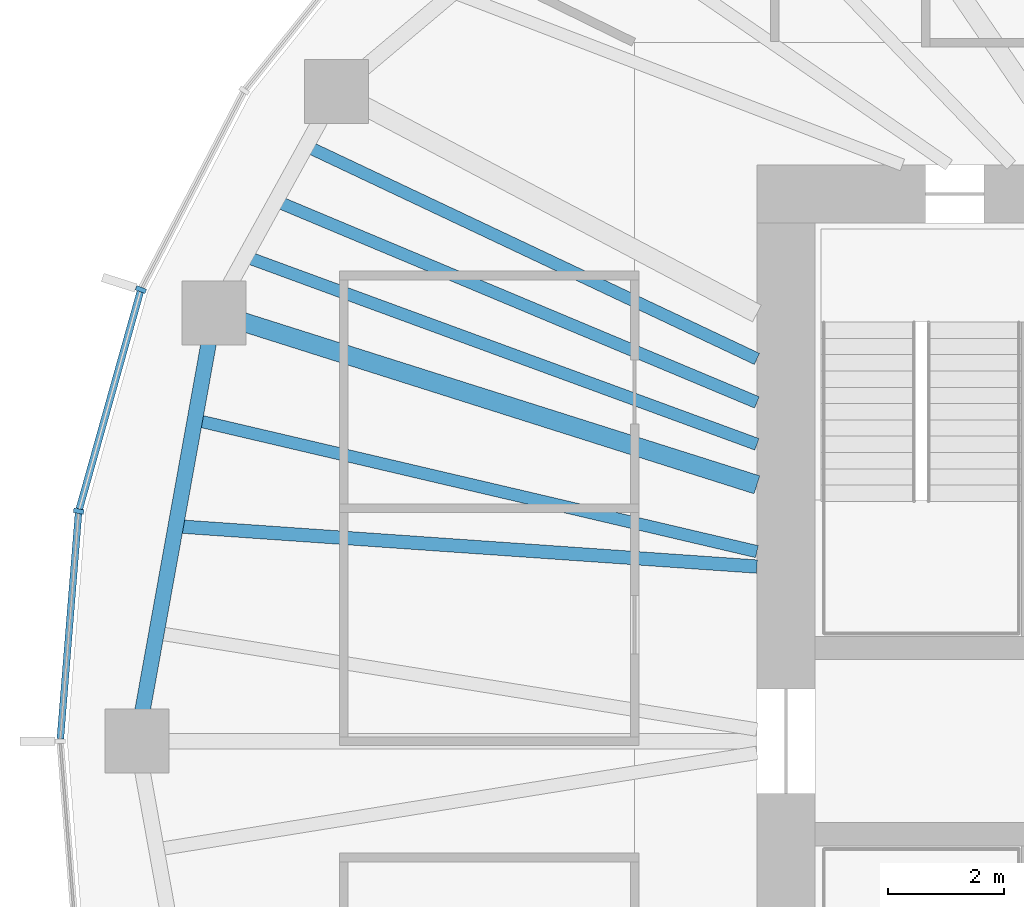
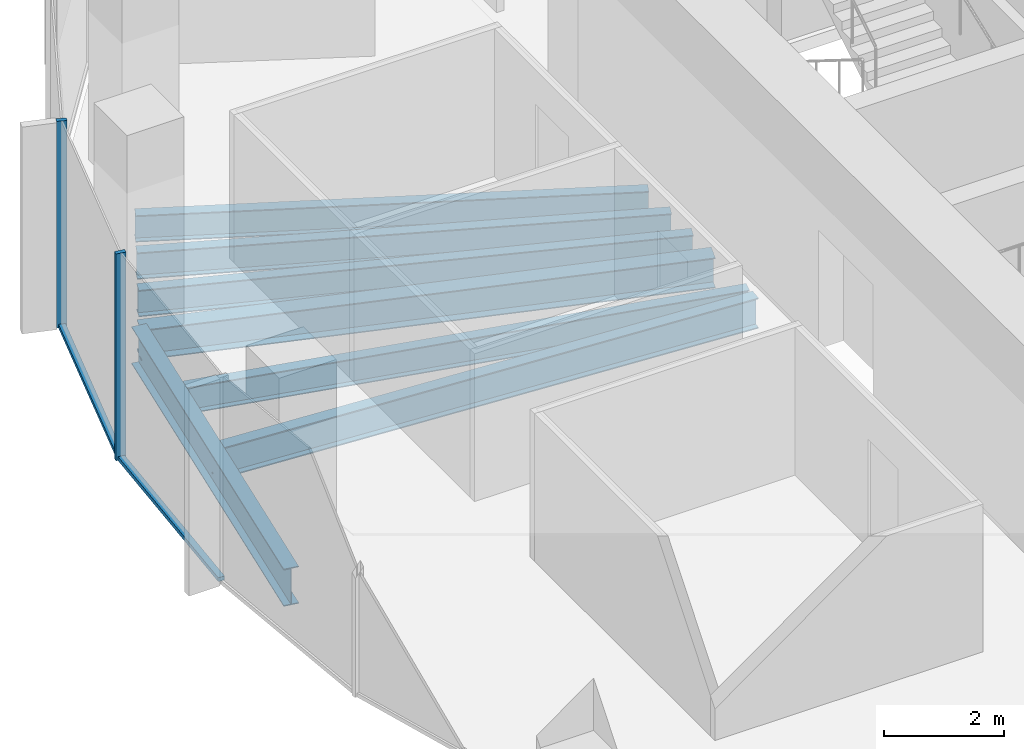
# One storey, part 3 of 12: 7 beams, 4 members, 1 element without a shape of its own.
"""IFC4 building model written with IfcOpenShell, lengths in metres."""

import ifcopenshell
import ifcopenshell.guid

model = None  # the IFC model being written
_history = None  # IfcOwnerHistory: only IFC2X3 demands one
_inside = {}  # id of a spatial element -> (the spatial element, [elements in it])
_under = {}  # id of a project, library or spatial element -> (it, [spatial elements below it])
_declared = {}  # id of a project -> (the project, [libraries it declares])
_typed = {}  # id of a type object -> (the type object, [elements of that type])
_made_of = {}  # id of a material, layer set ... -> (it, [elements and type objects made of it])


def new_model(schema):
    """Start an empty IFC model of exactly this schema.

    Asked for "IFC4X3", IfcOpenShell would pick the latest addendum, in which some entities
    have other attributes; the version numbers below select the first issue.
    IFC2X3 requires an IfcOwnerHistory on every rooted entity: one is made here for all.
    """
    global model, _history
    if schema == "IFC4X3":
        model = ifcopenshell.file(schema_version=(4, 3, 0, 0))
    else:
        model = ifcopenshell.file(schema=schema)
    _inside.clear()
    _under.clear()
    _declared.clear()
    _typed.clear()
    _made_of.clear()
    _history = None
    if model.schema == "IFC2X3":
        org = make("IfcOrganization", Name="unknown")
        user = make(
            "IfcPersonAndOrganization",
            ThePerson=make("IfcPerson", FamilyName="unknown"),
            TheOrganization=org,
        )
        app = make(
            "IfcApplication",
            ApplicationDeveloper=org,
            Version="unknown",
            ApplicationFullName="unknown",
            ApplicationIdentifier="unknown",
        )
        _history = make(
            "IfcOwnerHistory",
            OwningUser=user,
            OwningApplication=app,
            ChangeAction="ADDED",
            CreationDate=0,
        )
    return model


def make(cls, **values):
    """One entity of the class cls with the attributes given. An attribute that is None is left unset."""
    return model.create_entity(
        cls, **{name: value for name, value in values.items() if value is not None}
    )


def rooted(cls, **values):
    """An entity with a GlobalId (a new one), such as an element, a storey or a relation."""
    return make(cls, GlobalId=ifcopenshell.guid.new(), OwnerHistory=_history, **values)


def si_unit(unit_type, name, prefix=None):
    """IfcSIUnit, for example si_unit("LENGTHUNIT", "METRE", prefix="MILLI")."""
    return make("IfcSIUnit", UnitType=unit_type, Prefix=prefix, Name=name)


def assignment(units):
    """IfcUnitAssignment: the units of a project."""
    return None if units is None else make("IfcUnitAssignment", Units=units)


def point(xyz):
    """IfcCartesianPoint."""
    return None if xyz is None else make("IfcCartesianPoint", Coordinates=xyz)


def direction(xyz):
    """IfcDirection."""
    return None if xyz is None else make("IfcDirection", DirectionRatios=xyz)


def frame(location, z_axis=None, x_axis=None):
    """IfcAxis2Placement3D, a coordinate frame: its origin and axes. An axis left out is left unset."""
    return make(
        "IfcAxis2Placement3D",
        Location=point(location),
        Axis=direction(z_axis),
        RefDirection=direction(x_axis),
    )


def frame_2d(location, x_axis=None):
    """IfcAxis2Placement2D, a coordinate frame in the plane: its origin and x axis."""
    return make(
        "IfcAxis2Placement2D", Location=point(location), RefDirection=direction(x_axis)
    )


def origin():
    """The frame at (0, 0, 0) with its axes left unset."""
    return frame((0.0, 0.0, 0.0))


def origin_2d():
    """The frame at (0, 0) in the plane with its x axis left unset."""
    return frame_2d((0.0, 0.0))


def place(relative_to, where):
    """IfcLocalPlacement: puts the frame where relative to a parent placement (None: the world)."""
    return make(
        "IfcLocalPlacement", PlacementRelTo=relative_to, RelativePlacement=where
    )


def context(
    kind, dimensions, precision=None, world=None, true_north=None, identifier=None
):
    """IfcGeometricRepresentationContext, for example the 3D "Model" context."""
    return make(
        "IfcGeometricRepresentationContext",
        ContextIdentifier=identifier,
        ContextType=kind,
        CoordinateSpaceDimension=dimensions,
        Precision=precision,
        WorldCoordinateSystem=world,
        TrueNorth=true_north,
    )


def subcontext(parent, identifier, kind, view, scale=None):
    """IfcGeometricRepresentationSubContext, for example "Body" below "Model"."""
    return make(
        "IfcGeometricRepresentationSubContext",
        ContextIdentifier=identifier,
        ContextType=kind,
        ParentContext=parent,
        TargetScale=scale,
        TargetView=view,
    )


def project(units=None, contexts=None):
    """IfcProject with its units and contexts."""
    return rooted(
        "IfcProject",
        Name="project",
        RepresentationContexts=contexts,
        UnitsInContext=assignment(units),
    )


def spatial(cls, under=None, at=None, **own):
    """A site, building, storey or space (cls), placed at a placement, below another one or the project."""
    s = rooted(cls, ObjectPlacement=at, **own)
    if under is not None:
        _under.setdefault(under.id(), (under, []))[1].append(s)
    return s


def profile(cls, at=None, kind="AREA", **sizes):
    """A parametric profile (cls). Its sizes go by their IFC names, for example OverallWidth=200.0."""
    return make(cls, ProfileType=kind, Position=at, **sizes)


def rectangle(**sizes):
    """IfcRectangleProfileDef."""
    return profile("IfcRectangleProfileDef", **sizes)


def i_section(**sizes):
    """IfcIShapeProfileDef."""
    return profile("IfcIShapeProfileDef", **sizes)


def extrude(swept, where, along, depth):
    """IfcExtrudedAreaSolid: the profile swept, set in the frame where, extruded along a direction by depth."""
    return make(
        "IfcExtrudedAreaSolid",
        SweptArea=swept,
        Position=where,
        ExtrudedDirection=direction(along),
        Depth=depth,
    )


def shape(context_of_items, identifier, shape_type, items):
    """IfcShapeRepresentation: the items that make up one representation, for example the "Body"."""
    return make(
        "IfcShapeRepresentation",
        ContextOfItems=context_of_items,
        RepresentationIdentifier=identifier,
        RepresentationType=shape_type,
        Items=items,
    )


def material(Name=None, Category=None):
    """IfcMaterial."""
    return make("IfcMaterial", Name=Name, Category=Category)


def material_profile(
    of_material, cross_section, Name=None, Category=None, Priority=None
):
    """IfcMaterialProfile: a cross section and its material."""
    return make(
        "IfcMaterialProfile",
        Name=Name,
        Material=of_material,
        Profile=cross_section,
        Priority=Priority,
        Category=Category,
    )


def profile_set(profiles, Name=None, composite=None):
    """IfcMaterialProfileSet."""
    return make(
        "IfcMaterialProfileSet",
        Name=Name,
        MaterialProfiles=profiles,
        CompositeProfile=composite,
    )


def made_of(thing, what):
    """Note that an element or type object is made of a material, layer set ...; save() writes the relation."""
    if what is not None:
        _made_of.setdefault(what.id(), (what, []))[1].append(thing)
    return thing


def type_object(cls, material=None, **own):
    """A type object (cls), such as IfcWallType, which elements share."""
    return made_of(rooted(cls, **own), material)


def element(
    cls,
    number,
    at=None,
    inside=None,
    cuts=None,
    type_object=None,
    material=None,
    context=None,
    identifier="Body",
    shape_type=None,
    held_by="IfcProductDefinitionShape",
    body=None,
    shapes=None,
    **own,
):
    """One element of the class cls, such as IfcWall. Its Tag is "e" and its number.

    at: its placement. inside: the storey or other place that contains it. cuts: it is an
    opening in that element (IfcRelVoidsElement). A single representation is given by context,
    identifier, shape_type and body (its items); several are given by shapes. held_by: the class
    of the entity that holds the representations. save() writes the other relations.
    """
    e = rooted(cls, Tag="e%d" % number, ObjectPlacement=at, **own)
    if body is not None:
        shapes = [shape(context, identifier, shape_type, body)]
    if shapes is not None:
        e.Representation = make(held_by, Representations=shapes)
    if inside is not None:
        _inside.setdefault(inside.id(), (inside, []))[1].append(e)
    if cuts is not None:
        rooted(
            "IfcRelVoidsElement", RelatingBuildingElement=cuts, RelatedOpeningElement=e
        )
    if type_object is not None:
        _typed.setdefault(type_object.id(), (type_object, []))[1].append(e)
    return made_of(e, material)


def aggregate(whole, parts):
    """IfcRelAggregates: a whole, such as a stair, and the parts it consists of."""
    return rooted("IfcRelAggregates", RelatingObject=whole, RelatedObjects=parts)


def save(model, path):
    """Write the relations noted so far, then the file.

    IfcRelAggregates (storeys below a building ...), IfcRelContainedInSpatialStructure (elements
    in a storey), IfcRelDefinesByType, IfcRelAssociatesMaterial and IfcRelDeclares: one each for
    every whole, place, type object, material and project.
    """
    for whole, parts in _under.values():
        aggregate(whole, parts)
    for where, things in _inside.values():
        rooted(
            "IfcRelContainedInSpatialStructure",
            RelatedElements=things,
            RelatingStructure=where,
        )
    for kind, things in _typed.values():
        rooted("IfcRelDefinesByType", RelatedObjects=things, RelatingType=kind)
    for what, things in _made_of.values():
        rooted("IfcRelAssociatesMaterial", RelatedObjects=things, RelatingMaterial=what)
    for by, libraries in _declared.values():
        rooted("IfcRelDeclares", RelatingContext=by, RelatedDefinitions=libraries)
    model.write(path)


model = new_model("IFC4")

# Units and contexts
model_context = context("Model", 3, precision=1e-05, world=origin(), true_north=direction((0.0, 1.0)))
body_context = subcontext(model_context, "Body", "Model", "MODEL_VIEW")
ifc_project = project(units=[si_unit("LENGTHUNIT", "METRE"), si_unit("AREAUNIT", "SQUARE_METRE"), si_unit("VOLUMEUNIT", "CUBIC_METRE"), si_unit("PLANEANGLEUNIT", "RADIAN"), si_unit("MASSUNIT", "GRAM", prefix="KILO")], contexts=[model_context])

# Site, building, storey
site_placement = place(None, origin())
site = spatial("IfcSite", under=ifc_project, at=site_placement, CompositionType="ELEMENT")
building_placement = place(site_placement, origin())
building = spatial("IfcBuilding", under=site, at=building_placement, Name="Ghaith Harvest Tower", CompositionType="ELEMENT")
storey_placement = place(building_placement, frame((0.0, 0.0, 300.60009765625)))
storey = spatial("IfcBuildingStorey", under=building, at=storey_placement, Name="L67", CompositionType="ELEMENT", Elevation=300.60009765625)

# Curtain wall, members
ifc_material_1 = material(Name="Black anodised aluminium and fritted glass", Category="aluminium")
curtain_wall_type = type_object("IfcCurtainWallType", Name="CW-T CURTAIN WALL", PredefinedType="NOTDEFINED", material=ifc_material_1)
curtain_wall_placement = place(storey_placement, origin())
curtain_wall = element("IfcCurtainWall", 1, at=curtain_wall_placement, inside=storey, type_object=curtain_wall_type, Name="Curtain wall CW-T bay 10 L67", PredefinedType="NOTDEFINED")
ifc_material_2 = material(Name="Aluminium, black anodised", Category="aluminium")
ifc_material_profile_1 = material_profile(ifc_material_2, rectangle(XDim=0.080078125, YDim=0.179931640625, at=origin_2d()), Name="CW-T MULLION 80x180")
ifc_profile_set_1 = profile_set([ifc_material_profile_1], Name="Aluminium, black anodised")
member_type_1 = type_object("IfcMemberType", Name="CW-T MULLION 80x180", PredefinedType="MULLION", material=ifc_profile_set_1)
member_1_placement = place(storey_placement, frame((-24.482666015625, 7.759033203125, 0.0), z_axis=(0.0, 0.0, 1.0), x_axis=(-0.366473104961, -0.930428644948, 0.0)))
member_1 = element("IfcMember", 2, at=member_1_placement, type_object=member_type_1, Name="CW-T mullion 1 bay 10 L67", PredefinedType="MULLION", context=body_context, shape_type="SweptSolid", body=[
    extrude(rectangle(XDim=0.080078125, YDim=0.179931640625, at=origin_2d()), origin(), (0.0, 0.0, 1.0), 4.199951171875),
])
member_2_placement = place(storey_placement, frame((-25.5517578125, 3.9521484375, 0.0), z_axis=(0.0, 0.0, 1.0), x_axis=(-0.176001390642, -0.984389917915, 0.0)))
member_2 = element("IfcMember", 3, at=member_2_placement, type_object=member_type_1, Name="CW-T mullion 2 bay 10 L67", PredefinedType="MULLION", context=body_context, shape_type="SweptSolid", body=[
    extrude(rectangle(XDim=0.080078125, YDim=0.179931640625, at=origin_2d()), origin(), (0.0, 0.0, 1.0), 4.199951171875),
])
ifc_material_3 = material(Name="Aluminium, black anodised", Category="aluminium")
ifc_material_profile_2 = material_profile(ifc_material_3, rectangle(XDim=0.1201171875, YDim=0.080078125, at=origin_2d()), Name="CW-T TRANSOM 120x80")
ifc_profile_set_2 = profile_set([ifc_material_profile_2], Name="Aluminium, black anodised")
member_type_2 = type_object("IfcMemberType", Name="CW-T TRANSOM 120x80", PredefinedType="USERDEFINED", material=ifc_profile_set_2)
member_3_placement = place(storey_placement, frame((-24.49365234375, 7.720458984375, 0.039794921875), z_axis=(-0.270340422972, -0.962764797709, 0.0), x_axis=(0.962764797709, -0.270340422972, 0.0)))
member_3 = element("IfcMember", 4, at=member_3_placement, type_object=member_type_2, Name="CW-T transom 1 bay 10 L67", ObjectType="TRANSOM", PredefinedType="USERDEFINED", context=body_context, shape_type="SweptSolid", body=[
    extrude(rectangle(XDim=0.1201171875, YDim=0.080078125, at=origin_2d()), origin(), (0.0, 0.0, 1.0), 3.874267578125),
])
member_4_placement = place(storey_placement, frame((-25.554931640625, 3.912109375, 0.039794921875), z_axis=(-0.08025226314, -0.996774585481, 0.0), x_axis=(0.996774585481, -0.08025226314, 0.0)))
member_4 = element("IfcMember", 5, at=member_4_placement, type_object=member_type_2, Name="CW-T transom 2 bay 10 L67", ObjectType="TRANSOM", PredefinedType="USERDEFINED", context=body_context, shape_type="SweptSolid", body=[
    extrude(rectangle(XDim=0.1201171875, YDim=0.080078125, at=origin_2d()), origin(), (0.0, 0.0, 1.0), 3.884765625),
])
aggregate(curtain_wall, [member_1, member_3, member_2, member_4])

# Beams
ifc_material_4 = material(Name="Steel ASTM A992 Grade 50", Category="steel")
ifc_material_profile_3 = material_profile(ifc_material_4, i_section(OverallWidth=0.26611328125, OverallDepth=0.758056640625, WebThickness=0.013916015625, FlangeThickness=0.019287109375, at=origin_2d()), Name="W760X161")
ifc_profile_set_3 = profile_set([ifc_material_profile_3], Name="Steel ASTM A992 Grade 50")
beam_type_1 = type_object("IfcBeamType", Name="E760-161 W760X161", PredefinedType="SPANDREL", material=ifc_profile_set_3)
beam_1_placement = place(storey_placement, frame((-23.22412109375, 7.360107421875, -0.549072265625), z_axis=(-0.177296554745, -0.984157473007, 0.0), x_axis=(0.984157473007, -0.177296554745, 0.0)))
element("IfcBeam", 6, at=beam_1_placement, inside=storey, type_object=beam_type_1, Name="Edge beam E10 L67", PredefinedType="SPANDREL", context=body_context, shape_type="SweptSolid", body=[
    extrude(i_section(OverallWidth=0.26611328125, OverallDepth=0.758056640625, WebThickness=0.013916015625, FlangeThickness=0.019287109375, at=origin_2d()), origin(), (0.0, 0.0, 1.0), 7.478515625),
])
ifc_material_5 = material(Name="Steel ASTM A992 Grade 50", Category="steel")
ifc_material_profile_4 = material_profile(ifc_material_5, i_section(OverallWidth=0.323974609375, OverallDepth=0.611083984375, WebThickness=0.0126953125, FlangeThickness=0.01904296875, at=origin_2d()), Name="W610X155")
ifc_profile_set_4 = profile_set([ifc_material_profile_4], Name="Steel ASTM A992 Grade 50")
beam_type_2 = type_object("IfcBeamType", Name="G610-155 W610X155", PredefinedType="BEAM", material=ifc_profile_set_4)
beam_2_placement = place(storey_placement, frame((-13.89990234375, 4.4052734375, -0.4755859375), z_axis=(-0.953278508772, 0.302092841215, 0.0), x_axis=(-0.302092841215, -0.953278508772, 0.0)))
element("IfcBeam", 7, at=beam_2_placement, inside=storey, type_object=beam_type_2, Name="Radial girder G10 L67", PredefinedType="BEAM", context=body_context, shape_type="SweptSolid", body=[
    extrude(i_section(OverallWidth=0.323974609375, OverallDepth=0.611083984375, WebThickness=0.0126953125, FlangeThickness=0.01904296875, at=origin_2d()), origin(), (0.0, 0.0, 1.0), 9.78125),
])
ifc_material_6 = material(Name="Steel ASTM A992 Grade 50", Category="steel")
ifc_material_profile_5 = material_profile(ifc_material_6, i_section(OverallWidth=0.2109375, OverallDepth=0.5390625, WebThickness=0.01171875, FlangeThickness=0.018798828125, at=origin_2d()), Name="W530X109")
ifc_profile_set_5 = profile_set([ifc_material_profile_5], Name="Steel ASTM A992 Grade 50")
beam_type_3 = type_object("IfcBeamType", Name="J530-109 W530X109", PredefinedType="JOIST", material=ifc_profile_set_5)
beam_3_placement = place(storey_placement, frame((-13.89990234375, 6.56787109375, -0.439697265625), z_axis=(-0.904165769726, 0.427181765594, 0.0), x_axis=(-0.427181765594, -0.904165769726, 0.0)))
element("IfcBeam", 8, at=beam_3_placement, inside=storey, type_object=beam_type_3, Name="Joist J09.1 L67", PredefinedType="JOIST", context=body_context, shape_type="SweptSolid", body=[
    extrude(i_section(OverallWidth=0.2109375, OverallDepth=0.5390625, WebThickness=0.01171875, FlangeThickness=0.018798828125, at=origin_2d()), origin(), (0.0, 0.0, 1.0), 8.564208984375),
])
beam_4_placement = place(storey_placement, frame((-13.89990234375, 5.82080078125, -0.439697265625), z_axis=(-0.922394258818, 0.38624970071, 0.0), x_axis=(-0.38624970071, -0.922394258818, 0.0)))
element("IfcBeam", 9, at=beam_4_placement, inside=storey, type_object=beam_type_3, Name="Joist J09.2 L67", PredefinedType="JOIST", context=body_context, shape_type="SweptSolid", body=[
    extrude(i_section(OverallWidth=0.2109375, OverallDepth=0.5390625, WebThickness=0.01171875, FlangeThickness=0.018798828125, at=origin_2d()), origin(), (0.0, 0.0, 1.0), 8.959716796875),
])
beam_5_placement = place(storey_placement, frame((-13.89990234375, 5.101318359375, -0.439697265625), z_axis=(-0.938776837502, 0.34452583266, 0.0), x_axis=(-0.34452583266, -0.938776837502, 0.0)))
element("IfcBeam", 10, at=beam_5_placement, inside=storey, type_object=beam_type_3, Name="Joist J09.3 L67", PredefinedType="JOIST", context=body_context, shape_type="SweptSolid", body=[
    extrude(i_section(OverallWidth=0.2109375, OverallDepth=0.5390625, WebThickness=0.01171875, FlangeThickness=0.018798828125, at=origin_2d()), origin(), (0.0, 0.0, 1.0), 9.36376953125),
])
beam_6_placement = place(storey_placement, frame((-13.89990234375, 3.257080078125, -0.439697265625), z_axis=(-0.973623403271, 0.228161058472, 0.0), x_axis=(-0.228161058472, -0.973623403271, 0.0)))
element("IfcBeam", 11, at=beam_6_placement, inside=storey, type_object=beam_type_3, Name="Joist J10.1 L67", PredefinedType="JOIST", context=body_context, shape_type="SweptSolid", body=[
    extrude(i_section(OverallWidth=0.2109375, OverallDepth=0.5390625, WebThickness=0.01171875, FlangeThickness=0.018798828125, at=origin_2d()), origin(), (0.0, 0.0, 1.0), 9.9169921875),
])
ifc_material_7 = material(Name="Steel ASTM A992 Grade 50", Category="steel")
ifc_material_profile_6 = material_profile(ifc_material_7, i_section(OverallWidth=0.22998046875, OverallDepth=0.616943359375, WebThickness=0.01318359375, FlangeThickness=0.022216796875, at=origin_2d()), Name="W610X140")
ifc_profile_set_6 = profile_set([ifc_material_profile_6], Name="Steel ASTM A992 Grade 50")
beam_type_4 = type_object("IfcBeamType", Name="J610-140 W610X140", PredefinedType="JOIST", material=ifc_profile_set_6)
beam_7_placement = place(storey_placement, frame((-13.89990234375, 3.0, -0.478515625), z_axis=(-0.997592478057, 0.069348739886, 0.0), x_axis=(-0.069348739886, -0.997592478057, 0.0)))
element("IfcBeam", 12, at=beam_7_placement, inside=storey, type_object=beam_type_4, Name="Joist J10.2 L67", PredefinedType="JOIST", context=body_context, shape_type="SweptSolid", body=[
    extrude(i_section(OverallWidth=0.22998046875, OverallDepth=0.616943359375, WebThickness=0.01318359375, FlangeThickness=0.022216796875, at=origin_2d()), origin(), (0.0, 0.0, 1.0), 10.0087890625),
])

save(model, "model.ifc")
